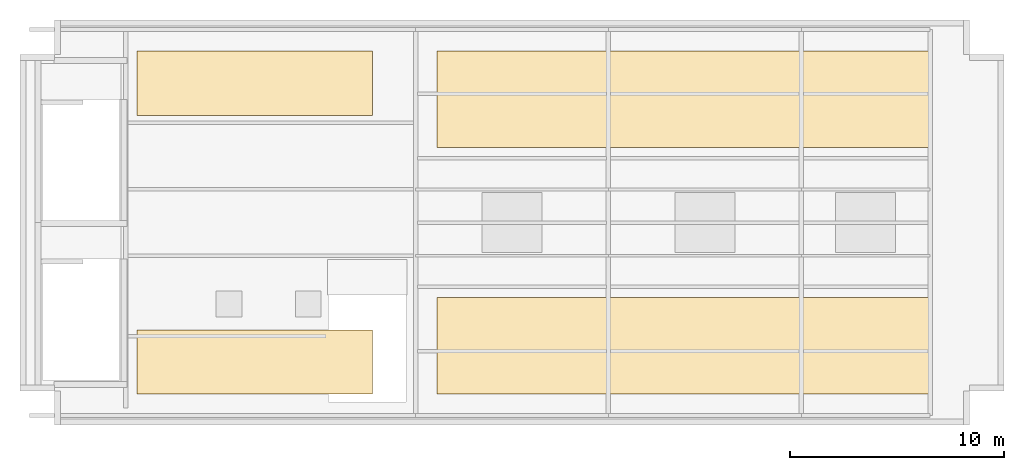
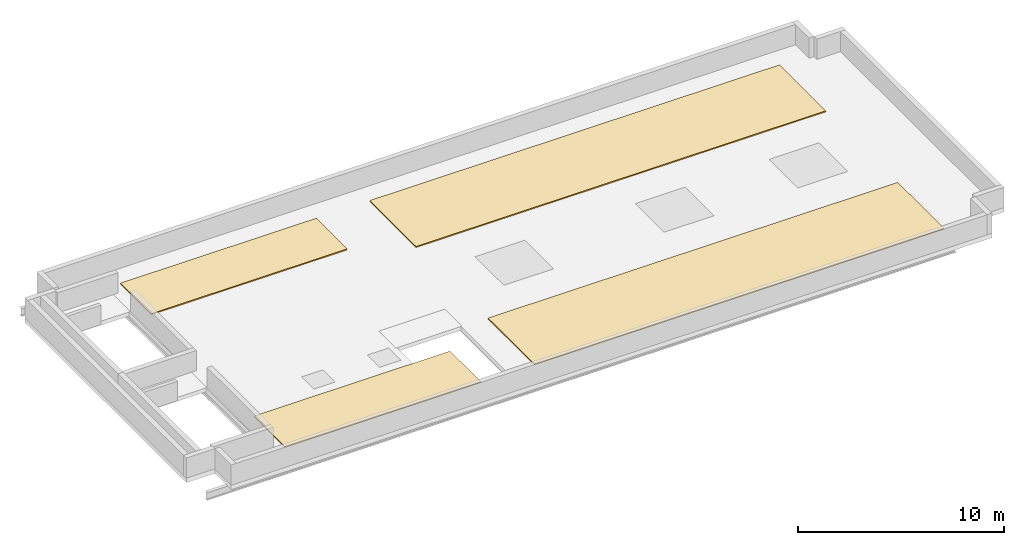
# One storey, part 3 of 3: 4 coverings.
"""IFC4 building model written with IfcOpenShell, lengths in metres."""

from ifc_helpers import new_model, si_unit, direction, frame, origin, place, context, subcontext, project, spatial, polyline, outline, extrude, material, layer, layer_set, type_object, element, save


model = new_model("IFC4")

# Units and contexts
model_context = context("Model", 3, precision=1e-05, world=origin(), true_north=direction((0.0, 1.0)))
body_context = subcontext(model_context, "Body", "Model", "MODEL_VIEW")
ifc_project = project(units=[si_unit("LENGTHUNIT", "METRE"), si_unit("AREAUNIT", "SQUARE_METRE"), si_unit("VOLUMEUNIT", "CUBIC_METRE"), si_unit("PLANEANGLEUNIT", "RADIAN"), si_unit("MASSUNIT", "GRAM", prefix="KILO")], contexts=[model_context])

# Site, building, storey
site_placement = place(None, origin())
site = spatial("IfcSite", under=ifc_project, at=site_placement, CompositionType="ELEMENT")
building_placement = place(site_placement, origin())
building = spatial("IfcBuilding", under=site, at=building_placement, Name="Mawjdan Bourse Tower", CompositionType="ELEMENT")
storey_placement = place(building_placement, frame((0.0, 0.0, 322.199951171875)))
storey = spatial("IfcBuildingStorey", under=building, at=storey_placement, Name="RF", CompositionType="ELEMENT", Elevation=322.199951171875)

# Coverings
ifc_material = material(Name="SBS Modified Bitumen Waterproofing Membrane")
ifc_layer = layer(ifc_material, 0.06494140625)
ifc_layer_set = layer_set([ifc_layer], Name="SBS Modified Bitumen Waterproofing Membrane")
covering_type = type_object("IfcCoveringType", Name="COV-ROOF-MEM", PredefinedType="ROOFING", material=ifc_layer_set)
covering_1_placement = place(storey_placement, origin())
element("IfcCovering", 1, at=covering_1_placement, inside=storey, type_object=covering_type, Name="RF Roof Waterproofing Membrane 1", PredefinedType="ROOFING", context=body_context, shape_type="SweptSolid", body=[
    extrude(outline(polyline([(11.0, 4.0), (22.0, 4.0), (22.0, 7.0), (11.0, 7.0), (11.0, 4.0)])), origin(), (0.0, 0.0, 1.0), 0.06494140625),
])
covering_2_placement = place(storey_placement, origin())
element("IfcCovering", 2, at=covering_2_placement, inside=storey, type_object=covering_type, Name="RF Roof Waterproofing Membrane 2", PredefinedType="ROOFING", context=body_context, shape_type="SweptSolid", body=[
    extrude(outline(polyline([(11.0, 17.0), (22.0, 17.0), (22.0, 20.0), (11.0, 20.0), (11.0, 17.0)])), origin(), (0.0, 0.0, 1.0), 0.06494140625),
])
covering_3_placement = place(storey_placement, origin())
element("IfcCovering", 3, at=covering_3_placement, inside=storey, type_object=covering_type, Name="RF Roof Waterproofing Membrane 3", PredefinedType="ROOFING", context=body_context, shape_type="SweptSolid", body=[
    extrude(outline(polyline([(25.0, 4.0), (48.0, 4.0), (48.0, 8.5), (25.0, 8.5), (25.0, 4.0)])), origin(), (0.0, 0.0, 1.0), 0.06494140625),
])
covering_4_placement = place(storey_placement, origin())
element("IfcCovering", 4, at=covering_4_placement, inside=storey, type_object=covering_type, Name="RF Roof Waterproofing Membrane 4", PredefinedType="ROOFING", context=body_context, shape_type="SweptSolid", body=[
    extrude(outline(polyline([(25.0, 15.5), (48.0, 15.5), (48.0, 20.0), (25.0, 20.0), (25.0, 15.5)])), origin(), (0.0, 0.0, 1.0), 0.06494140625),
])

save(model, "model.ifc")
